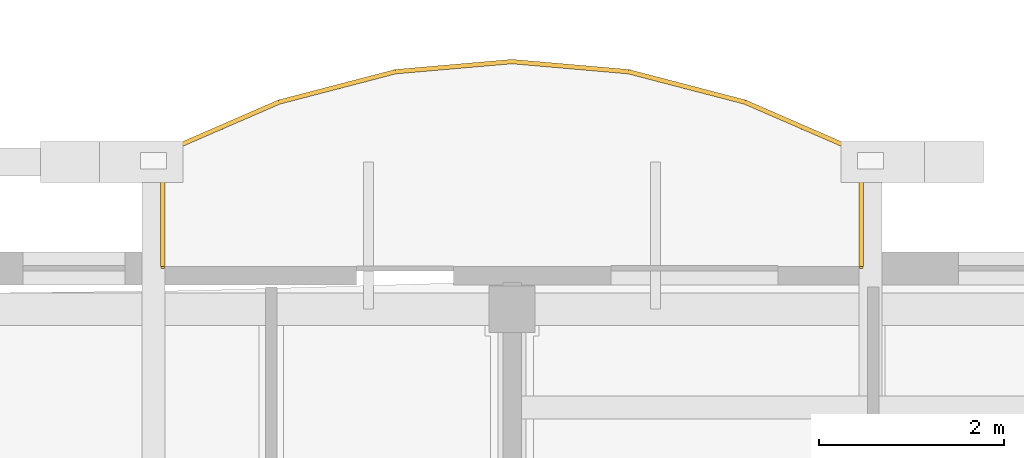
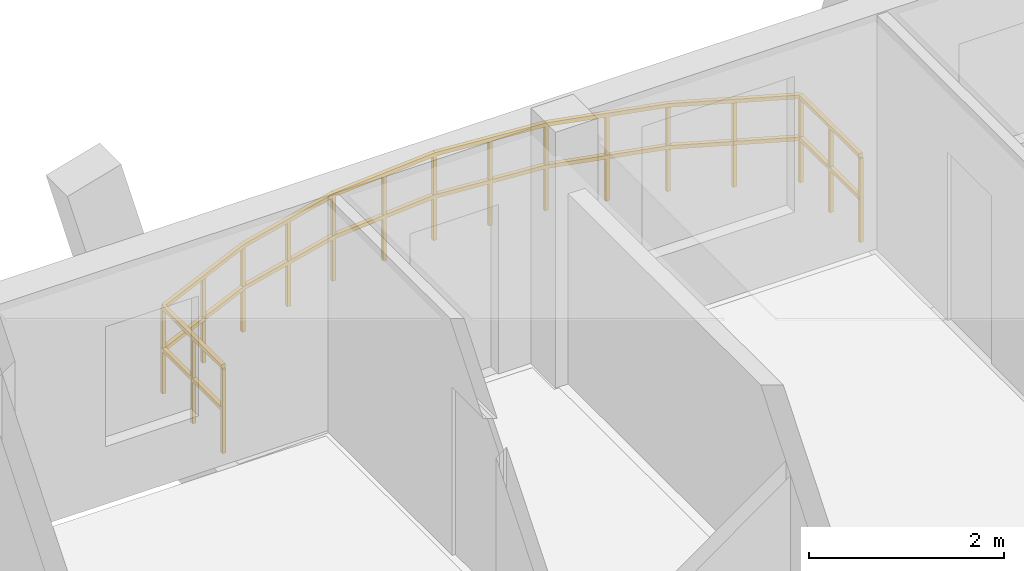
# One storey, part 109 of 109: 1 railing.
"""IFC4 building model written with IfcOpenShell, lengths in metres."""

from ifc_helpers import new_model, si_unit, direction, frame, origin, origin_2d, place, context, subcontext, project, spatial, rectangle, extrude, material, type_object, element, save


model = new_model("IFC4")

# Units and contexts
model_context = context("Model", 3, precision=1e-05, world=origin(), true_north=direction((0.0, 1.0)))
body_context = subcontext(model_context, "Body", "Model", "MODEL_VIEW")
ifc_project = project(units=[si_unit("LENGTHUNIT", "METRE"), si_unit("AREAUNIT", "SQUARE_METRE"), si_unit("VOLUMEUNIT", "CUBIC_METRE"), si_unit("PLANEANGLEUNIT", "RADIAN"), si_unit("MASSUNIT", "GRAM", prefix="KILO")], contexts=[model_context])

# Site, building, storey
site_placement = place(None, origin())
site = spatial("IfcSite", under=ifc_project, at=site_placement, CompositionType="ELEMENT")
building_placement = place(site_placement, origin())
building = spatial("IfcBuilding", under=site, at=building_placement, Name="Zavelmont Quarter", CompositionType="ELEMENT")
storey_placement = place(building_placement, frame((0.0, 0.0, 8.0)))
storey = spatial("IfcBuildingStorey", under=building, at=storey_placement, Name="L02", CompositionType="ELEMENT", Elevation=8.0)

# Railing
ifc_material = material(Name="Powder-coated steel and tempered double safety glass", Category="steel")
railing_type = type_object("IfcRailingType", Name="RL-BAL1", PredefinedType="BALUSTRADE", material=ifc_material)
railing_placement = place(storey_placement, frame((164.870849609375, 116.02001953125, 0.0)))
element("IfcRailing", 1, at=railing_placement, inside=storey, type_object=railing_type, Name="L02 Block C curved balcony guard RL-BAL1", PredefinedType="BALUSTRADE", context=body_context, shape_type="SweptSolid", body=[
    extrude(rectangle(XDim=0.048095703125, YDim=0.048095703125, at=origin_2d()), frame((0.0, 0.0, 1.076171875), z_axis=(0.0, 1.0, 0.0), x_axis=(-1.0, 0.0, 0.0)), (0.0, 0.0, 1.0), 1.23095703125),
    extrude(rectangle(XDim=0.048095703125, YDim=0.048095703125, at=origin_2d()), frame((0.0, 0.0, 0.550048828125), z_axis=(0.0, 1.0, 0.0), x_axis=(-1.0, 0.0, 0.0)), (0.0, 0.0, 1.0), 1.23095703125),
    extrude(rectangle(XDim=0.048095703125, YDim=0.048095703125, at=origin_2d()), frame((0.0, 1.23095703125, 1.076171875), z_axis=(-0.917152175946, 0.398537182904, 0.0), x_axis=(-0.398537182904, -0.917152175946, 0.0)), (0.0, 0.0, 1.0), 1.370361328125),
    extrude(rectangle(XDim=0.048095703125, YDim=0.048095703125, at=origin_2d()), frame((0.0, 1.23095703125, 0.550048828125), z_axis=(-0.917152175946, 0.398537182904, 0.0), x_axis=(-0.398537182904, -0.917152175946, 0.0)), (0.0, 0.0, 1.0), 1.370361328125),
    extrude(rectangle(XDim=0.048095703125, YDim=0.048095703125, at=origin_2d()), frame((-1.2568359375, 1.777099609375, 1.076171875), z_axis=(-0.967673130002, 0.252207679251, 0.0), x_axis=(-0.252207679251, -0.967673130002, 0.0)), (0.0, 0.0, 1.0), 1.299072265625),
    extrude(rectangle(XDim=0.048095703125, YDim=0.048095703125, at=origin_2d()), frame((-1.2568359375, 1.777099609375, 0.550048828125), z_axis=(-0.967673130002, 0.252207679251, 0.0), x_axis=(-0.252207679251, -0.967673130002, 0.0)), (0.0, 0.0, 1.0), 1.299072265625),
    extrude(rectangle(XDim=0.048095703125, YDim=0.048095703125, at=origin_2d()), frame((-2.513916015625, 2.104736328125, 1.076171875), z_axis=(-0.996251472743, 0.08650435282, 0.0), x_axis=(-0.08650435282, -0.996251472743, 0.0)), (0.0, 0.0, 1.0), 1.261474609375),
    extrude(rectangle(XDim=0.048095703125, YDim=0.048095703125, at=origin_2d()), frame((-2.513916015625, 2.104736328125, 0.550048828125), z_axis=(-0.996251472743, 0.08650435282, 0.0), x_axis=(-0.08650435282, -0.996251472743, 0.0)), (0.0, 0.0, 1.0), 1.261474609375),
    extrude(rectangle(XDim=0.048095703125, YDim=0.048095703125, at=origin_2d()), frame((-3.770751953125, 2.2138671875, 1.076171875), z_axis=(-0.996252920451, -0.086487678276, 0.0), x_axis=(0.086487678276, -0.996252920451, 0.0)), (0.0, 0.0, 1.0), 1.26171875),
    extrude(rectangle(XDim=0.048095703125, YDim=0.048095703125, at=origin_2d()), frame((-3.770751953125, 2.2138671875, 0.550048828125), z_axis=(-0.996252920451, -0.086487678276, 0.0), x_axis=(0.086487678276, -0.996252920451, 0.0)), (0.0, 0.0, 1.0), 1.26171875),
    extrude(rectangle(XDim=0.048095703125, YDim=0.048095703125, at=origin_2d()), frame((-5.02783203125, 2.104736328125, 1.076171875), z_axis=(-0.967661172488, -0.252253553512, 0.0), x_axis=(0.252253553512, -0.967661172488, 0.0)), (0.0, 0.0, 1.0), 1.298828125),
    extrude(rectangle(XDim=0.048095703125, YDim=0.048095703125, at=origin_2d()), frame((-5.02783203125, 2.104736328125, 0.550048828125), z_axis=(-0.967661172488, -0.252253553512, 0.0), x_axis=(0.252253553512, -0.967661172488, 0.0)), (0.0, 0.0, 1.0), 1.298828125),
    extrude(rectangle(XDim=0.048095703125, YDim=0.048095703125, at=origin_2d()), frame((-6.28466796875, 1.777099609375, 1.076171875), z_axis=(-0.917180466023, -0.398472072731, 0.0), x_axis=(0.398472072731, -0.917180466023, 0.0)), (0.0, 0.0, 1.0), 1.37060546875),
    extrude(rectangle(XDim=0.048095703125, YDim=0.048095703125, at=origin_2d()), frame((-6.28466796875, 1.777099609375, 0.550048828125), z_axis=(-0.917180466023, -0.398472072731, 0.0), x_axis=(0.398472072731, -0.917180466023, 0.0)), (0.0, 0.0, 1.0), 1.37060546875),
    extrude(rectangle(XDim=0.048095703125, YDim=0.048095703125, at=origin_2d()), frame((-7.541748046875, 1.23095703125, 1.076171875), z_axis=(0.0, -1.0, 0.0), x_axis=(1.0, 0.0, 0.0)), (0.0, 0.0, 1.0), 1.23095703125),
    extrude(rectangle(XDim=0.048095703125, YDim=0.048095703125, at=origin_2d()), frame((-7.541748046875, 1.23095703125, 0.550048828125), z_axis=(0.0, -1.0, 0.0), x_axis=(1.0, 0.0, 0.0)), (0.0, 0.0, 1.0), 1.23095703125),
    extrude(rectangle(XDim=0.0419921875, YDim=0.0419921875, at=origin_2d()), origin(), (0.0, 0.0, 1.0), 1.052001953125),
    extrude(rectangle(XDim=0.0419921875, YDim=0.0419921875, at=origin_2d()), frame((0.0, 0.615478515625, 0.0)), (0.0, 0.0, 1.0), 1.052001953125),
    extrude(rectangle(XDim=0.0419921875, YDim=0.0419921875, at=origin_2d()), frame((0.0, 1.23095703125, 0.0)), (0.0, 0.0, 1.0), 1.052001953125),
    extrude(rectangle(XDim=0.0419921875, YDim=0.0419921875, at=origin_2d()), frame((-0.62841796875, 1.50390625, 0.0)), (0.0, 0.0, 1.0), 1.052001953125),
    extrude(rectangle(XDim=0.0419921875, YDim=0.0419921875, at=origin_2d()), frame((-1.2568359375, 1.777099609375, 0.0)), (0.0, 0.0, 1.0), 1.052001953125),
    extrude(rectangle(XDim=0.0419921875, YDim=0.0419921875, at=origin_2d()), frame((-1.88525390625, 1.94091796875, 0.0)), (0.0, 0.0, 1.0), 1.052001953125),
    extrude(rectangle(XDim=0.0419921875, YDim=0.0419921875, at=origin_2d()), frame((-2.513916015625, 2.104736328125, 0.0)), (0.0, 0.0, 1.0), 1.052001953125),
    extrude(rectangle(XDim=0.0419921875, YDim=0.0419921875, at=origin_2d()), frame((-3.142333984375, 2.1591796875, 0.0)), (0.0, 0.0, 1.0), 1.052001953125),
    extrude(rectangle(XDim=0.0419921875, YDim=0.0419921875, at=origin_2d()), frame((-3.770751953125, 2.2138671875, 0.0)), (0.0, 0.0, 1.0), 1.052001953125),
    extrude(rectangle(XDim=0.0419921875, YDim=0.0419921875, at=origin_2d()), frame((-4.3994140625, 2.1591796875, 0.0)), (0.0, 0.0, 1.0), 1.052001953125),
    extrude(rectangle(XDim=0.0419921875, YDim=0.0419921875, at=origin_2d()), frame((-5.02783203125, 2.104736328125, 0.0)), (0.0, 0.0, 1.0), 1.052001953125),
    extrude(rectangle(XDim=0.0419921875, YDim=0.0419921875, at=origin_2d()), frame((-5.65625, 1.94091796875, 0.0)), (0.0, 0.0, 1.0), 1.052001953125),
    extrude(rectangle(XDim=0.0419921875, YDim=0.0419921875, at=origin_2d()), frame((-6.28466796875, 1.777099609375, 0.0)), (0.0, 0.0, 1.0), 1.052001953125),
    extrude(rectangle(XDim=0.0419921875, YDim=0.0419921875, at=origin_2d()), frame((-6.9130859375, 1.50390625, 0.0)), (0.0, 0.0, 1.0), 1.052001953125),
    extrude(rectangle(XDim=0.0419921875, YDim=0.0419921875, at=origin_2d()), frame((-7.541748046875, 1.23095703125, 0.0)), (0.0, 0.0, 1.0), 1.052001953125),
    extrude(rectangle(XDim=0.0419921875, YDim=0.0419921875, at=origin_2d()), frame((-7.541748046875, 0.615478515625, 0.0)), (0.0, 0.0, 1.0), 1.052001953125),
    extrude(rectangle(XDim=0.0419921875, YDim=0.0419921875, at=origin_2d()), frame((-7.541748046875, 0.0, 0.0)), (0.0, 0.0, 1.0), 1.052001953125),
])

save(model, "model.ifc")
